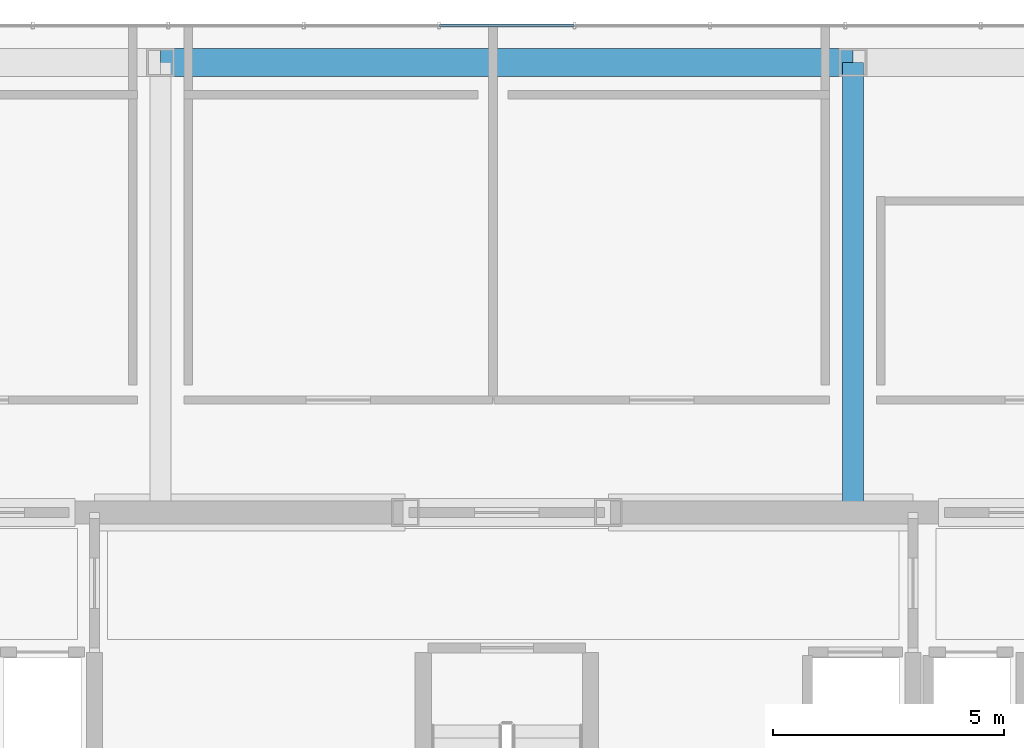
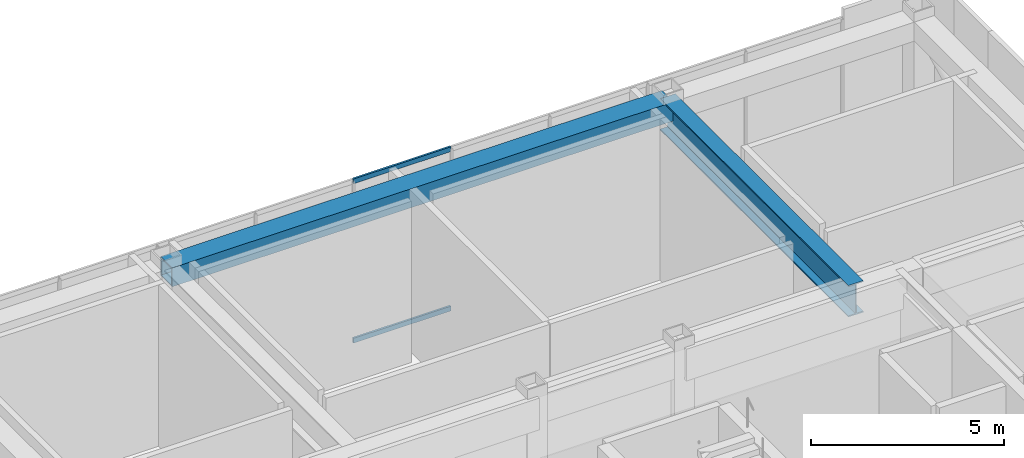
# One storey, part 4 of 9: 2 beams, 2 members, 1 element without a shape of its own.
"""IFC4 building model written with IfcOpenShell, lengths in metres."""

from ifc_helpers import new_model, si_unit, direction, frame, origin, origin_2d, place, context, subcontext, project, spatial, hollow_rectangle, i_section, extrude, material, material_profile, profile_set, type_object, element, aggregate, save


model = new_model("IFC4")

# Units and contexts
model_context = context("Model", 3, precision=1e-05, world=origin(), true_north=direction((0.0, 1.0)))
body_context = subcontext(model_context, "Body", "Model", "MODEL_VIEW")
ifc_project = project(units=[si_unit("LENGTHUNIT", "METRE"), si_unit("AREAUNIT", "SQUARE_METRE"), si_unit("VOLUMEUNIT", "CUBIC_METRE"), si_unit("PLANEANGLEUNIT", "RADIAN"), si_unit("MASSUNIT", "GRAM", prefix="KILO")], contexts=[model_context])

# Site, building, storey
site_placement = place(None, origin())
site = spatial("IfcSite", under=ifc_project, at=site_placement, CompositionType="ELEMENT")
building_placement = place(site_placement, origin())
building = spatial("IfcBuilding", under=site, at=building_placement, Name="Ventersveld Concourse Tower", CompositionType="ELEMENT")
storey_placement = place(building_placement, frame((0.0, 0.0, 377.449951171875)))
storey = spatial("IfcBuildingStorey", under=building, at=storey_placement, Name="L92", CompositionType="ELEMENT", Elevation=377.449951171875)

# Curtain wall, members
ifc_material_1 = material(Name="Anodised aluminium EN AW-6063-T6", Category="aluminium")
curtain_wall_type = type_object("IfcCurtainWallType", Name="CW-CRN-6", PredefinedType="NOTDEFINED", material=ifc_material_1)
curtain_wall_placement = place(storey_placement, origin())
curtain_wall = element("IfcCurtainWall", 1, at=curtain_wall_placement, inside=storey, type_object=curtain_wall_type, Name="L92 L92 Crown North Glazed Curtain Wall", PredefinedType="NOTDEFINED")
ifc_material_profile_1 = material_profile(ifc_material_1, hollow_rectangle(XDim=0.06005859375, YDim=0.14990234375, WallThickness=0.00390625, at=origin_2d()), Name="ALU 150x60x4")
ifc_profile_set_1 = profile_set([ifc_material_profile_1], Name="Anodised aluminium EN AW-6063-T6")
member_type = type_object("IfcMemberType", Name="CWT-150x60", PredefinedType="USERDEFINED", material=ifc_profile_set_1)
member_1_placement = place(storey_placement, frame((30.206787109375, 22.0, 0.030029296875), z_axis=(-1.0, 0.0, 0.0), x_axis=(0.0, -1.0, 0.0)))
member_1 = element("IfcMember", 2, at=member_1_placement, type_object=member_type, Name="CW-L92-N Transom 1-05", ObjectType="TRANSOM", PredefinedType="USERDEFINED", context=body_context, shape_type="SweptSolid", body=[
    extrude(hollow_rectangle(XDim=0.06005859375, YDim=0.14990234375, WallThickness=0.00390625, at=origin_2d()), origin(), (0.0, 0.0, 1.0), 2.91357421875),
])
member_2_placement = place(storey_placement, frame((30.206787109375, 22.0, 5.070068359375), z_axis=(-1.0, 0.0, 0.0), x_axis=(0.0, -1.0, 0.0)))
member_2 = element("IfcMember", 3, at=member_2_placement, type_object=member_type, Name="CW-L92-N Transom 2-05", ObjectType="TRANSOM", PredefinedType="USERDEFINED", context=body_context, shape_type="SweptSolid", body=[
    extrude(hollow_rectangle(XDim=0.06005859375, YDim=0.14990234375, WallThickness=0.00390625, at=origin_2d()), origin(), (0.0, 0.0, 1.0), 2.91357421875),
])
aggregate(curtain_wall, [member_1, member_2])

# Beams
ifc_material_2 = material(Name="Structural steel S355ML", Category="steel")
ifc_material_profile_2 = material_profile(ifc_material_2, hollow_rectangle(XDim=0.60009765625, YDim=0.60009765625, WallThickness=0.0400390625, at=origin_2d()), Name="BOX 600x600x40")
ifc_profile_set_2 = profile_set([ifc_material_profile_2], Name="Structural steel S355ML")
beam_type_1 = type_object("IfcBeamType", Name="SPD-BOX600", PredefinedType="SPANDREL", material=ifc_profile_set_2)
beam_1_placement = place(storey_placement, frame((36.25, 21.199951171875, 4.800048828125), z_axis=(-1.0, 0.0, 0.0), x_axis=(0.0, -1.0, 0.0)))
element("IfcBeam", 4, at=beam_1_placement, inside=storey, type_object=beam_type_1, Name="L92 CROWN FRAME Perimeter Ring Beam 5", PredefinedType="SPANDREL", context=body_context, shape_type="SweptSolid", body=[
    extrude(hollow_rectangle(XDim=0.60009765625, YDim=0.60009765625, WallThickness=0.0400390625, at=origin_2d()), origin(), (0.0, 0.0, 1.0), 15.0),
])
ifc_material_3 = material(Name="Structural steel S460ML", Category="steel")
ifc_material_profile_3 = material_profile(ifc_material_3, i_section(OverallWidth=0.449951171875, OverallDepth=1.0, WebThickness=0.02392578125, FlangeThickness=0.0400390625, at=origin_2d()), Name="PG 1000x450x40")
ifc_profile_set_3 = profile_set([ifc_material_profile_3], Name="Structural steel S460ML")
beam_type_2 = type_object("IfcBeamType", Name="TG-PG1000", PredefinedType="USERDEFINED", material=ifc_profile_set_3)
beam_2_placement = place(storey_placement, frame((36.25, 11.449951171875, 4.60009765625), z_axis=(0.0, 1.0, 0.0), x_axis=(-1.0, 0.0, 0.0)))
element("IfcBeam", 5, at=beam_2_placement, inside=storey, type_object=beam_type_2, Name="L92 Crown Interior Girder E", ObjectType="TRANSFER_GIRDER", PredefinedType="USERDEFINED", context=body_context, shape_type="SweptSolid", body=[
    extrude(i_section(OverallWidth=0.449951171875, OverallDepth=1.0, WebThickness=0.02392578125, FlangeThickness=0.0400390625, at=origin_2d()), origin(), (0.0, 0.0, 1.0), 9.75),
])

save(model, "model.ifc")
